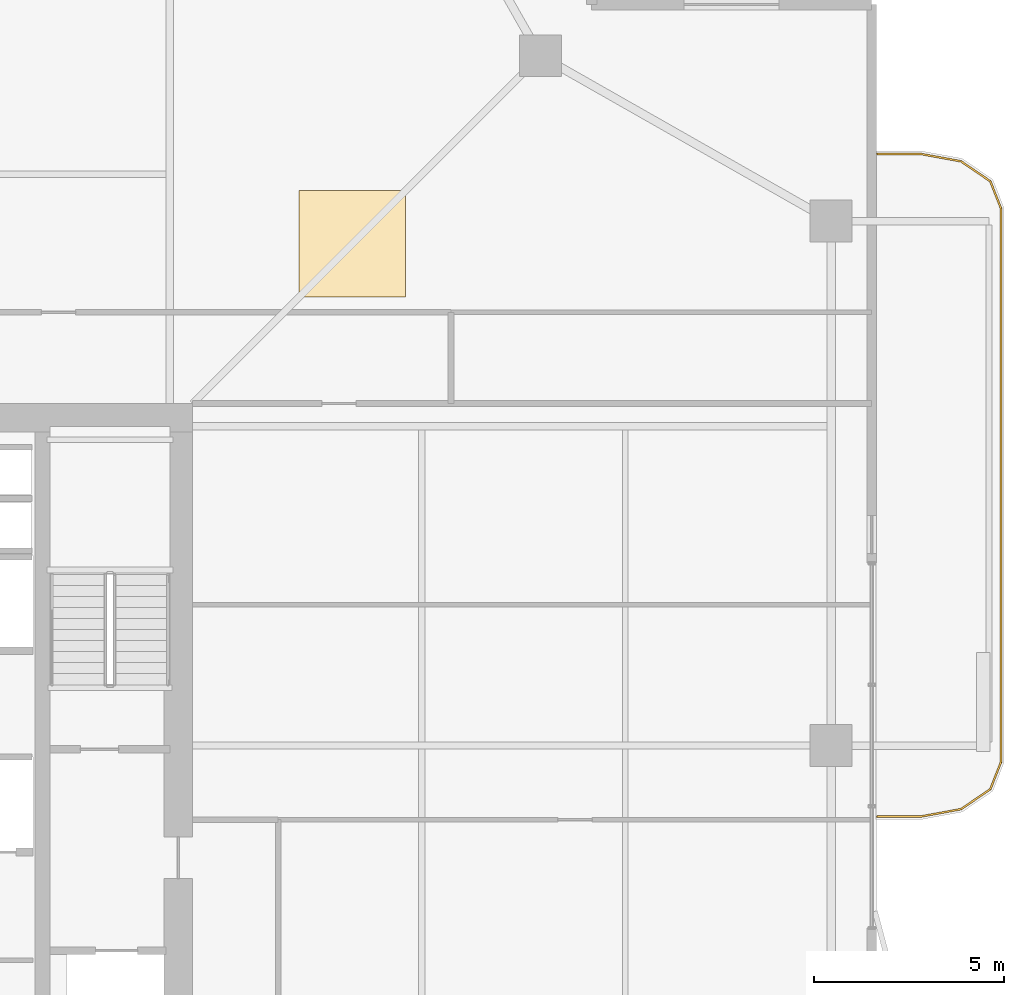
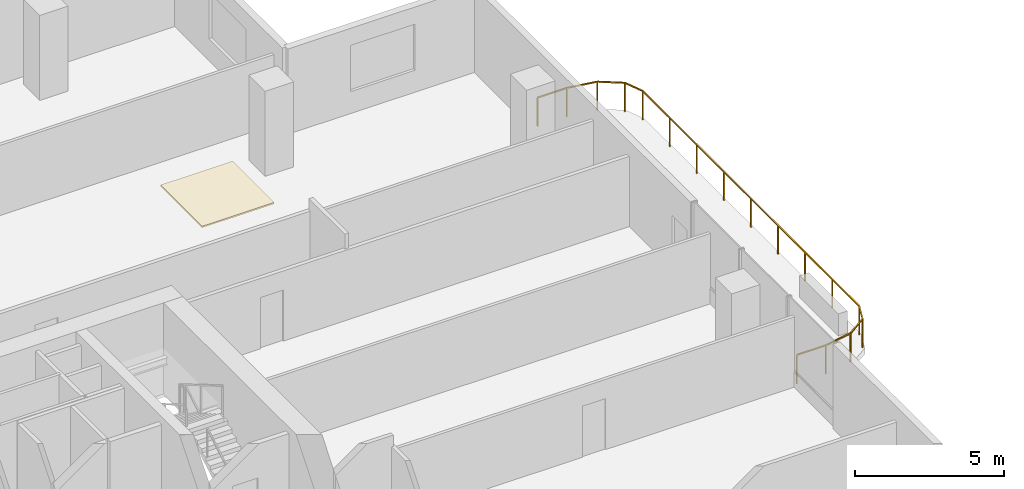
# One storey, part 24 of 24: 1 covering, 1 railing.
"""IFC4 building model written with IfcOpenShell, lengths in metres."""

from ifc_helpers import new_model, si_unit, direction, frame, origin, origin_2d, place, context, subcontext, project, spatial, polyline, rectangle, outline, extrude, material, layer, layer_set, type_object, element, save


model = new_model("IFC4")

# Units and contexts
model_context = context("Model", 3, precision=1e-05, world=origin(), true_north=direction((0.0, 1.0)))
body_context = subcontext(model_context, "Body", "Model", "MODEL_VIEW")
ifc_project = project(units=[si_unit("LENGTHUNIT", "METRE"), si_unit("AREAUNIT", "SQUARE_METRE"), si_unit("VOLUMEUNIT", "CUBIC_METRE"), si_unit("PLANEANGLEUNIT", "RADIAN"), si_unit("MASSUNIT", "GRAM", prefix="KILO")], contexts=[model_context])

# Site, building, storey
site_placement = place(None, origin())
site = spatial("IfcSite", under=ifc_project, at=site_placement, CompositionType="ELEMENT")
building_placement = place(site_placement, origin())
building = spatial("IfcBuilding", under=site, at=building_placement, Name="Belovzor Exchange Tower", CompositionType="ELEMENT")
storey_placement = place(building_placement, frame((0.0, 0.0, 222.449951171875)))
storey = spatial("IfcBuildingStorey", under=building, at=storey_placement, Name="L55", CompositionType="ELEMENT", Elevation=222.449951171875)

# Railing
ifc_material_1 = material(Name="Stainless Steel and Laminated Safety Glass", Category="steel")
railing_type = type_object("IfcRailingType", Name="Laminated Glass & Stainless Steel Balcony Balustrade 1200", PredefinedType="BALUSTRADE", material=ifc_material_1)
railing_placement = place(storey_placement, frame((55.81005859375, 26.929931640625, 0.0)))
element("IfcRailing", 1, at=railing_placement, inside=storey, type_object=railing_type, Name="GR-1 Balcony Balustrade L55 East", PredefinedType="BALUSTRADE", context=body_context, shape_type="SweptSolid", body=[
    extrude(rectangle(XDim=0.048095703125, YDim=0.048095703125, at=origin_2d()), frame((0.0, 0.0, 1.17578125), z_axis=(1.0, 0.0, 0.0), x_axis=(0.0, 1.0, 0.0)), (0.0, 0.0, 1.0), 1.133056640625),
    extrude(rectangle(XDim=0.048095703125, YDim=0.048095703125, at=origin_2d()), frame((1.133056640625, 0.0, 1.17578125), z_axis=(0.983644145941, 0.180122719713, 0.0), x_axis=(-0.180122719713, 0.983644145941, 0.0)), (0.0, 0.0, 1.0), 1.09375),
    extrude(rectangle(XDim=0.048095703125, YDim=0.048095703125, at=origin_2d()), frame((2.208984375, 0.197021484375, 1.17578125), z_axis=(0.826493025367, 0.56294695933, 0.0), x_axis=(-0.56294695933, 0.826493025367, 0.0)), (0.0, 0.0, 1.0), 0.932861328125),
    extrude(rectangle(XDim=0.048095703125, YDim=0.048095703125, at=origin_2d()), frame((2.97998046875, 0.72216796875, 1.17578125), z_axis=(0.365612923861, 0.930766990125, 0.0), x_axis=(-0.930766990125, 0.365612923861, 0.0)), (0.0, 0.0, 1.0), 0.765869140625),
    extrude(rectangle(XDim=0.048095703125, YDim=0.048095703125, at=origin_2d()), frame((3.260009765625, 1.43505859375, 1.17578125), z_axis=(0.0, 1.0, 0.0), x_axis=(-1.0, 0.0, 0.0)), (0.0, 0.0, 1.0), 14.570068359375),
    extrude(rectangle(XDim=0.048095703125, YDim=0.048095703125, at=origin_2d()), frame((3.260009765625, 16.005126953125, 1.17578125), z_axis=(-0.365612923861, 0.930766990125, 0.0), x_axis=(-0.930766990125, -0.365612923861, 0.0)), (0.0, 0.0, 1.0), 0.765869140625),
    extrude(rectangle(XDim=0.048095703125, YDim=0.048095703125, at=origin_2d()), frame((2.97998046875, 16.718017578125, 1.17578125), z_axis=(-0.826493025367, 0.56294695933, 0.0), x_axis=(-0.56294695933, -0.826493025367, 0.0)), (0.0, 0.0, 1.0), 0.932861328125),
    extrude(rectangle(XDim=0.048095703125, YDim=0.048095703125, at=origin_2d()), frame((2.208984375, 17.2431640625, 1.17578125), z_axis=(-0.983644145941, 0.180122719713, 0.0), x_axis=(-0.180122719713, -0.983644145941, 0.0)), (0.0, 0.0, 1.0), 1.09375),
    extrude(rectangle(XDim=0.048095703125, YDim=0.048095703125, at=origin_2d()), frame((1.133056640625, 17.440185546875, 1.17578125), z_axis=(-1.0, 0.0, 0.0), x_axis=(0.0, -1.0, 0.0)), (0.0, 0.0, 1.0), 1.133056640625),
    extrude(rectangle(XDim=0.0419921875, YDim=0.0419921875, at=origin_2d()), origin(), (0.0, 0.0, 1.0), 1.15185546875),
    extrude(rectangle(XDim=0.0419921875, YDim=0.0419921875, at=origin_2d()), frame((1.133056640625, 0.0, 0.0)), (0.0, 0.0, 1.0), 1.15185546875),
    extrude(rectangle(XDim=0.0419921875, YDim=0.0419921875, at=origin_2d()), frame((2.208984375, 0.197021484375, 0.0)), (0.0, 0.0, 1.0), 1.15185546875),
    extrude(rectangle(XDim=0.0419921875, YDim=0.0419921875, at=origin_2d()), frame((2.97998046875, 0.72216796875, 0.0)), (0.0, 0.0, 1.0), 1.15185546875),
    extrude(rectangle(XDim=0.0419921875, YDim=0.0419921875, at=origin_2d()), frame((3.260009765625, 1.43505859375, 0.0)), (0.0, 0.0, 1.0), 1.15185546875),
    extrude(rectangle(XDim=0.0419921875, YDim=0.0419921875, at=origin_2d()), frame((3.260009765625, 3.25634765625, 0.0)), (0.0, 0.0, 1.0), 1.15185546875),
    extrude(rectangle(XDim=0.0419921875, YDim=0.0419921875, at=origin_2d()), frame((3.260009765625, 5.07763671875, 0.0)), (0.0, 0.0, 1.0), 1.15185546875),
    extrude(rectangle(XDim=0.0419921875, YDim=0.0419921875, at=origin_2d()), frame((3.260009765625, 6.89892578125, 0.0)), (0.0, 0.0, 1.0), 1.15185546875),
    extrude(rectangle(XDim=0.0419921875, YDim=0.0419921875, at=origin_2d()), frame((3.260009765625, 8.72021484375, 0.0)), (0.0, 0.0, 1.0), 1.15185546875),
    extrude(rectangle(XDim=0.0419921875, YDim=0.0419921875, at=origin_2d()), frame((3.260009765625, 10.541259765625, 0.0)), (0.0, 0.0, 1.0), 1.15185546875),
    extrude(rectangle(XDim=0.0419921875, YDim=0.0419921875, at=origin_2d()), frame((3.260009765625, 12.362548828125, 0.0)), (0.0, 0.0, 1.0), 1.15185546875),
    extrude(rectangle(XDim=0.0419921875, YDim=0.0419921875, at=origin_2d()), frame((3.260009765625, 14.183837890625, 0.0)), (0.0, 0.0, 1.0), 1.15185546875),
    extrude(rectangle(XDim=0.0419921875, YDim=0.0419921875, at=origin_2d()), frame((3.260009765625, 16.005126953125, 0.0)), (0.0, 0.0, 1.0), 1.15185546875),
    extrude(rectangle(XDim=0.0419921875, YDim=0.0419921875, at=origin_2d()), frame((2.97998046875, 16.718017578125, 0.0)), (0.0, 0.0, 1.0), 1.15185546875),
    extrude(rectangle(XDim=0.0419921875, YDim=0.0419921875, at=origin_2d()), frame((2.208984375, 17.2431640625, 0.0)), (0.0, 0.0, 1.0), 1.15185546875),
    extrude(rectangle(XDim=0.0419921875, YDim=0.0419921875, at=origin_2d()), frame((1.133056640625, 17.440185546875, 0.0)), (0.0, 0.0, 1.0), 1.15185546875),
    extrude(rectangle(XDim=0.0419921875, YDim=0.0419921875, at=origin_2d()), frame((0.0, 17.440185546875, 0.0)), (0.0, 0.0, 1.0), 1.15185546875),
])

# Covering
ifc_material_2 = material(Name="Perforated Powder-Coated Aluminium", Category="aluminium")
ifc_layer = layer(ifc_material_2, 0.06005859375)
ifc_layer_set = layer_set([ifc_layer], Name="Perforated Powder-Coated Aluminium")
covering_type = type_object("IfcCoveringType", Name="Perforated Acoustic Metal Tile Suspended Ceiling 60", PredefinedType="CEILING", material=ifc_layer_set)
covering_placement = place(storey_placement, frame((0.0, 0.0, 3.43994140625)))
element("IfcCovering", 2, at=covering_placement, inside=storey, type_object=covering_type, Name="CLG-AC60 Suspended Ceiling CLG-L55-Z2", PredefinedType="CEILING", context=body_context, shape_type="SweptSolid", body=[
    extrude(outline(polyline([(40.60009765625, 40.60009765625), (43.39990234375, 40.60009765625), (43.39990234375, 43.39990234375), (40.60009765625, 43.39990234375), (40.60009765625, 40.60009765625)])), origin(), (0.0, 0.0, 1.0), 0.06005859375),
])

save(model, "model.ifc")
